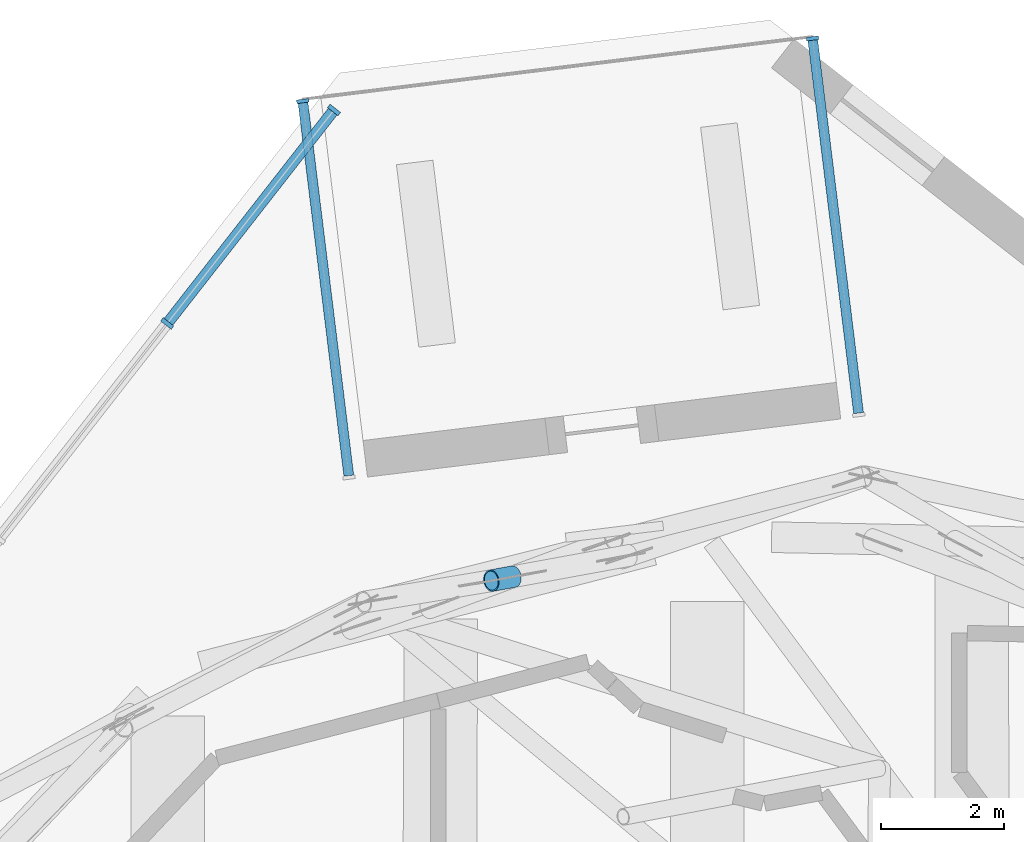
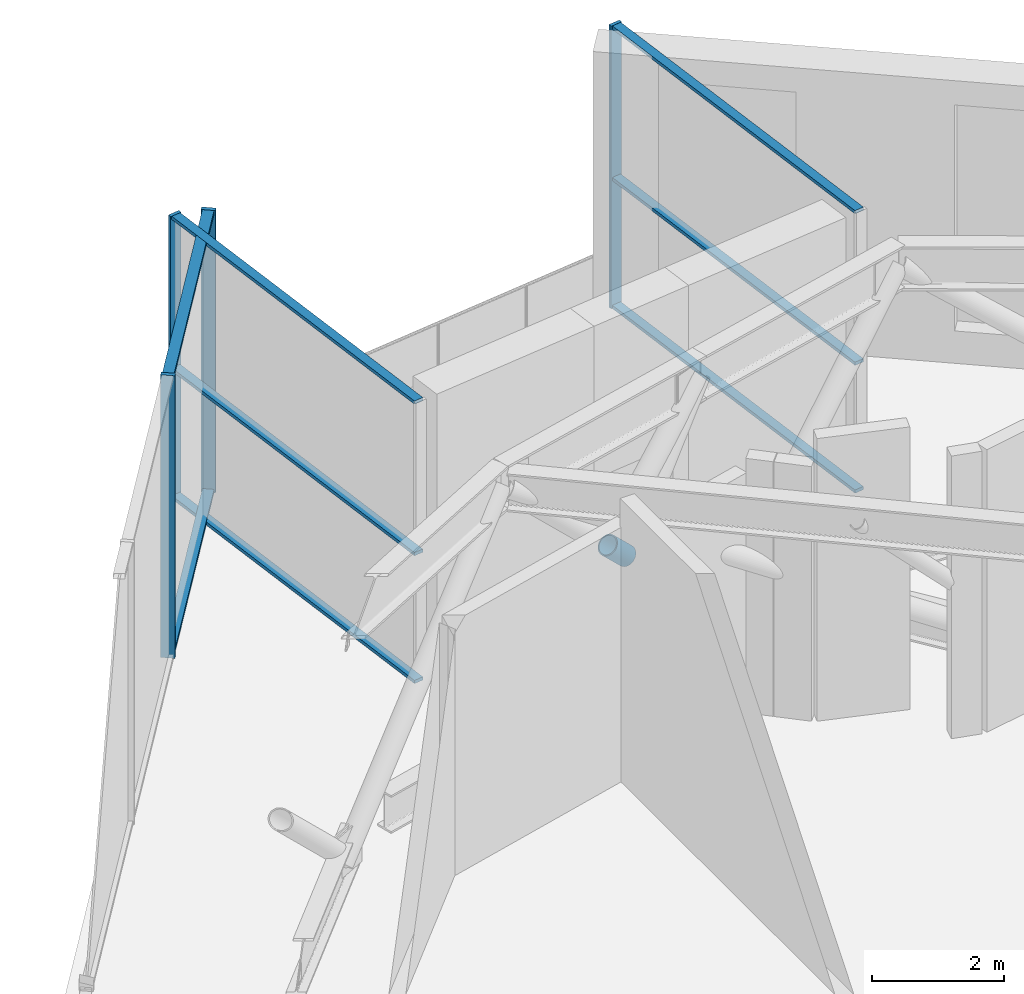
# One storey, part 10 of 23: 13 members, 3 elements without a shape of their own.
"""IFC4 building model written with IfcOpenShell, lengths in metres."""

import ifcopenshell
import ifcopenshell.guid

model = None  # the IFC model being written
_history = None  # IfcOwnerHistory: only IFC2X3 demands one
_inside = {}  # id of a spatial element -> (the spatial element, [elements in it])
_under = {}  # id of a project, library or spatial element -> (it, [spatial elements below it])
_declared = {}  # id of a project -> (the project, [libraries it declares])
_typed = {}  # id of a type object -> (the type object, [elements of that type])
_made_of = {}  # id of a material, layer set ... -> (it, [elements and type objects made of it])


def new_model(schema):
    """Start an empty IFC model of exactly this schema.

    Asked for "IFC4X3", IfcOpenShell would pick the latest addendum, in which some entities
    have other attributes; the version numbers below select the first issue.
    IFC2X3 requires an IfcOwnerHistory on every rooted entity: one is made here for all.
    """
    global model, _history
    if schema == "IFC4X3":
        model = ifcopenshell.file(schema_version=(4, 3, 0, 0))
    else:
        model = ifcopenshell.file(schema=schema)
    _inside.clear()
    _under.clear()
    _declared.clear()
    _typed.clear()
    _made_of.clear()
    _history = None
    if model.schema == "IFC2X3":
        org = make("IfcOrganization", Name="unknown")
        user = make(
            "IfcPersonAndOrganization",
            ThePerson=make("IfcPerson", FamilyName="unknown"),
            TheOrganization=org,
        )
        app = make(
            "IfcApplication",
            ApplicationDeveloper=org,
            Version="unknown",
            ApplicationFullName="unknown",
            ApplicationIdentifier="unknown",
        )
        _history = make(
            "IfcOwnerHistory",
            OwningUser=user,
            OwningApplication=app,
            ChangeAction="ADDED",
            CreationDate=0,
        )
    return model


def make(cls, **values):
    """One entity of the class cls with the attributes given. An attribute that is None is left unset."""
    return model.create_entity(
        cls, **{name: value for name, value in values.items() if value is not None}
    )


def rooted(cls, **values):
    """An entity with a GlobalId (a new one), such as an element, a storey or a relation."""
    return make(cls, GlobalId=ifcopenshell.guid.new(), OwnerHistory=_history, **values)


def si_unit(unit_type, name, prefix=None):
    """IfcSIUnit, for example si_unit("LENGTHUNIT", "METRE", prefix="MILLI")."""
    return make("IfcSIUnit", UnitType=unit_type, Prefix=prefix, Name=name)


def assignment(units):
    """IfcUnitAssignment: the units of a project."""
    return None if units is None else make("IfcUnitAssignment", Units=units)


def point(xyz):
    """IfcCartesianPoint."""
    return None if xyz is None else make("IfcCartesianPoint", Coordinates=xyz)


def direction(xyz):
    """IfcDirection."""
    return None if xyz is None else make("IfcDirection", DirectionRatios=xyz)


def frame(location, z_axis=None, x_axis=None):
    """IfcAxis2Placement3D, a coordinate frame: its origin and axes. An axis left out is left unset."""
    return make(
        "IfcAxis2Placement3D",
        Location=point(location),
        Axis=direction(z_axis),
        RefDirection=direction(x_axis),
    )


def frame_2d(location, x_axis=None):
    """IfcAxis2Placement2D, a coordinate frame in the plane: its origin and x axis."""
    return make(
        "IfcAxis2Placement2D", Location=point(location), RefDirection=direction(x_axis)
    )


def origin():
    """The frame at (0, 0, 0) with its axes left unset."""
    return frame((0.0, 0.0, 0.0))


def origin_2d():
    """The frame at (0, 0) in the plane with its x axis left unset."""
    return frame_2d((0.0, 0.0))


def place(relative_to, where):
    """IfcLocalPlacement: puts the frame where relative to a parent placement (None: the world)."""
    return make(
        "IfcLocalPlacement", PlacementRelTo=relative_to, RelativePlacement=where
    )


def context(
    kind, dimensions, precision=None, world=None, true_north=None, identifier=None
):
    """IfcGeometricRepresentationContext, for example the 3D "Model" context."""
    return make(
        "IfcGeometricRepresentationContext",
        ContextIdentifier=identifier,
        ContextType=kind,
        CoordinateSpaceDimension=dimensions,
        Precision=precision,
        WorldCoordinateSystem=world,
        TrueNorth=true_north,
    )


def subcontext(parent, identifier, kind, view, scale=None):
    """IfcGeometricRepresentationSubContext, for example "Body" below "Model"."""
    return make(
        "IfcGeometricRepresentationSubContext",
        ContextIdentifier=identifier,
        ContextType=kind,
        ParentContext=parent,
        TargetScale=scale,
        TargetView=view,
    )


def project(units=None, contexts=None):
    """IfcProject with its units and contexts."""
    return rooted(
        "IfcProject",
        Name="project",
        RepresentationContexts=contexts,
        UnitsInContext=assignment(units),
    )


def spatial(cls, under=None, at=None, **own):
    """A site, building, storey or space (cls), placed at a placement, below another one or the project."""
    s = rooted(cls, ObjectPlacement=at, **own)
    if under is not None:
        _under.setdefault(under.id(), (under, []))[1].append(s)
    return s


def profile(cls, at=None, kind="AREA", **sizes):
    """A parametric profile (cls). Its sizes go by their IFC names, for example OverallWidth=200.0."""
    return make(cls, ProfileType=kind, Position=at, **sizes)


def rectangle(**sizes):
    """IfcRectangleProfileDef."""
    return profile("IfcRectangleProfileDef", **sizes)


def hollow_circle(**sizes):
    """IfcCircleHollowProfileDef."""
    return profile("IfcCircleHollowProfileDef", **sizes)


def extrude(swept, where, along, depth):
    """IfcExtrudedAreaSolid: the profile swept, set in the frame where, extruded along a direction by depth."""
    return make(
        "IfcExtrudedAreaSolid",
        SweptArea=swept,
        Position=where,
        ExtrudedDirection=direction(along),
        Depth=depth,
    )


def shape(context_of_items, identifier, shape_type, items):
    """IfcShapeRepresentation: the items that make up one representation, for example the "Body"."""
    return make(
        "IfcShapeRepresentation",
        ContextOfItems=context_of_items,
        RepresentationIdentifier=identifier,
        RepresentationType=shape_type,
        Items=items,
    )


def material(Name=None, Category=None):
    """IfcMaterial."""
    return make("IfcMaterial", Name=Name, Category=Category)


def material_profile(
    of_material, cross_section, Name=None, Category=None, Priority=None
):
    """IfcMaterialProfile: a cross section and its material."""
    return make(
        "IfcMaterialProfile",
        Name=Name,
        Material=of_material,
        Profile=cross_section,
        Priority=Priority,
        Category=Category,
    )


def profile_set(profiles, Name=None, composite=None):
    """IfcMaterialProfileSet."""
    return make(
        "IfcMaterialProfileSet",
        Name=Name,
        MaterialProfiles=profiles,
        CompositeProfile=composite,
    )


def made_of(thing, what):
    """Note that an element or type object is made of a material, layer set ...; save() writes the relation."""
    if what is not None:
        _made_of.setdefault(what.id(), (what, []))[1].append(thing)
    return thing


def type_object(cls, material=None, **own):
    """A type object (cls), such as IfcWallType, which elements share."""
    return made_of(rooted(cls, **own), material)


def element(
    cls,
    number,
    at=None,
    inside=None,
    cuts=None,
    type_object=None,
    material=None,
    context=None,
    identifier="Body",
    shape_type=None,
    held_by="IfcProductDefinitionShape",
    body=None,
    shapes=None,
    **own,
):
    """One element of the class cls, such as IfcWall. Its Tag is "e" and its number.

    at: its placement. inside: the storey or other place that contains it. cuts: it is an
    opening in that element (IfcRelVoidsElement). A single representation is given by context,
    identifier, shape_type and body (its items); several are given by shapes. held_by: the class
    of the entity that holds the representations. save() writes the other relations.
    """
    e = rooted(cls, Tag="e%d" % number, ObjectPlacement=at, **own)
    if body is not None:
        shapes = [shape(context, identifier, shape_type, body)]
    if shapes is not None:
        e.Representation = make(held_by, Representations=shapes)
    if inside is not None:
        _inside.setdefault(inside.id(), (inside, []))[1].append(e)
    if cuts is not None:
        rooted(
            "IfcRelVoidsElement", RelatingBuildingElement=cuts, RelatedOpeningElement=e
        )
    if type_object is not None:
        _typed.setdefault(type_object.id(), (type_object, []))[1].append(e)
    return made_of(e, material)


def aggregate(whole, parts):
    """IfcRelAggregates: a whole, such as a stair, and the parts it consists of."""
    return rooted("IfcRelAggregates", RelatingObject=whole, RelatedObjects=parts)


def save(model, path):
    """Write the relations noted so far, then the file.

    IfcRelAggregates (storeys below a building ...), IfcRelContainedInSpatialStructure (elements
    in a storey), IfcRelDefinesByType, IfcRelAssociatesMaterial and IfcRelDeclares: one each for
    every whole, place, type object, material and project.
    """
    for whole, parts in _under.values():
        aggregate(whole, parts)
    for where, things in _inside.values():
        rooted(
            "IfcRelContainedInSpatialStructure",
            RelatedElements=things,
            RelatingStructure=where,
        )
    for kind, things in _typed.values():
        rooted("IfcRelDefinesByType", RelatedObjects=things, RelatingType=kind)
    for what, things in _made_of.values():
        rooted("IfcRelAssociatesMaterial", RelatedObjects=things, RelatingMaterial=what)
    for by, libraries in _declared.values():
        rooted("IfcRelDeclares", RelatingContext=by, RelatedDefinitions=libraries)
    model.write(path)


model = new_model("IFC4")

# Units and contexts
model_context = context("Model", 3, precision=1e-05, world=origin(), true_north=direction((0.0, 1.0)))
body_context = subcontext(model_context, "Body", "Model", "MODEL_VIEW")
ifc_project = project(units=[si_unit("LENGTHUNIT", "METRE"), si_unit("AREAUNIT", "SQUARE_METRE"), si_unit("VOLUMEUNIT", "CUBIC_METRE"), si_unit("PLANEANGLEUNIT", "RADIAN"), si_unit("MASSUNIT", "GRAM", prefix="KILO")], contexts=[model_context])

# Site, building, storey
site_placement = place(None, origin())
site = spatial("IfcSite", under=ifc_project, at=site_placement, CompositionType="ELEMENT")
building_placement = place(site_placement, origin())
building = spatial("IfcBuilding", under=site, at=building_placement, Name="Dilmun Exchange Tower", CompositionType="ELEMENT")
storey_placement = place(building_placement, frame((0.0, 0.0, 237.300048828125)))
storey = spatial("IfcBuildingStorey", under=building, at=storey_placement, Name="L56", CompositionType="ELEMENT", Elevation=237.300048828125)

# Curtain wall, member
ifc_material_1 = material(Name="Anodised aluminium and clear glass", Category="aluminium")
curtain_wall_type_1 = type_object("IfcCurtainWallType", Name="Garden corner glazing", PredefinedType="NOTDEFINED", material=ifc_material_1)
curtain_wall_1_placement = place(storey_placement, origin())
curtain_wall_1 = element("IfcCurtainWall", 1, at=curtain_wall_1_placement, inside=storey, type_object=curtain_wall_type_1, Name="Garden corner glazing run GC1.1", PredefinedType="NOTDEFINED")
ifc_material_2 = material(Name="Anodised aluminium", Category="aluminium")
ifc_material_profile_1 = material_profile(ifc_material_2, rectangle(XDim=0.199951171875, YDim=0.06005859375, at=origin_2d()), Name="AL 60x200")
ifc_profile_set_1 = profile_set([ifc_material_profile_1], Name="Anodised aluminium")
member_type_1 = type_object("IfcMemberType", Name="Garden corner glazing mullion 60 x 200", PredefinedType="MULLION", material=ifc_profile_set_1)
member_1_placement = place(storey_placement, frame((3.405029296875, 35.652587890625, 0.0), z_axis=(0.0, 0.0, 1.0), x_axis=(0.992547158556, 0.12186114246, 0.0)))
member_1 = element("IfcMember", 2, at=member_1_placement, type_object=member_type_1, Name="GC1.1 mullion 1", PredefinedType="MULLION", context=body_context, shape_type="SweptSolid", body=[
    extrude(rectangle(XDim=0.199951171875, YDim=0.06005859375, at=origin_2d()), origin(), (0.0, 0.0, 1.0), 5.239990234375),
])

curtain_wall_2_placement = place(storey_placement, origin())
curtain_wall_2 = element("IfcCurtainWall", 3, at=curtain_wall_2_placement, inside=storey, type_object=curtain_wall_type_1, Name="Garden corner glazing run GC3.1", PredefinedType="NOTDEFINED")
member_2_placement = place(storey_placement, frame((-4.91064453125, 34.63134765625, 0.0), z_axis=(0.0, 0.0, 1.0), x_axis=(-0.992546920814, -0.121863078832, 0.0)))
member_2 = element("IfcMember", 4, at=member_2_placement, type_object=member_type_1, Name="GC3.1 mullion 2", PredefinedType="MULLION", context=body_context, shape_type="SweptSolid", body=[
    extrude(rectangle(XDim=0.199951171875, YDim=0.06005859375, at=origin_2d()), origin(), (0.0, 0.0, 1.0), 5.239990234375),
])

# Member
ifc_material_profile_2 = material_profile(ifc_material_2, rectangle(XDim=0.159912109375, YDim=0.06005859375, at=origin_2d()), Name="AL 60x160")
ifc_profile_set_2 = profile_set([ifc_material_profile_2], Name="Anodised aluminium")
member_type_2 = type_object("IfcMemberType", Name="Garden corner glazing transom 60 x 160", PredefinedType="USERDEFINED", material=ifc_profile_set_2)
member_3_placement = place(storey_placement, frame((3.40869140625, 35.622802734375, 0.030029296875), z_axis=(0.121861685747, -0.992547091854, 0.0), x_axis=(0.992547091854, 0.121861685747, 0.0)))
member_3 = element("IfcMember", 5, at=member_3_placement, type_object=member_type_2, Name="GC1.1 transom 1.1", ObjectType="TRANSOM", PredefinedType="USERDEFINED", context=body_context, shape_type="SweptSolid", body=[
    extrude(rectangle(XDim=0.159912109375, YDim=0.06005859375, at=origin_2d()), origin(), (0.0, 0.0, 1.0), 6.12646484375),
])

member_4_placement = place(storey_placement, frame((3.40869140625, 35.622802734375, 2.39990234375), z_axis=(0.121861685747, -0.992547091854, 0.0), x_axis=(0.992547091854, 0.121861685747, 0.0)))
member_4 = element("IfcMember", 6, at=member_4_placement, type_object=member_type_2, Name="GC1.1 transom 1.2", ObjectType="TRANSOM", PredefinedType="USERDEFINED", context=body_context, shape_type="SweptSolid", body=[
    extrude(rectangle(XDim=0.159912109375, YDim=0.06005859375, at=origin_2d()), origin(), (0.0, 0.0, 1.0), 6.12646484375),
])

member_5_placement = place(storey_placement, frame((3.40869140625, 35.622802734375, 5.2099609375), z_axis=(0.121861685747, -0.992547091854, 0.0), x_axis=(0.992547091854, 0.121861685747, 0.0)))
member_5 = element("IfcMember", 7, at=member_5_placement, type_object=member_type_2, Name="GC1.1 transom 1.3", ObjectType="TRANSOM", PredefinedType="USERDEFINED", context=body_context, shape_type="SweptSolid", body=[
    extrude(rectangle(XDim=0.159912109375, YDim=0.06005859375, at=origin_2d()), origin(), (0.0, 0.0, 1.0), 6.12646484375),
])

aggregate(curtain_wall_1, [member_1, member_3, member_4, member_5])

member_6_placement = place(storey_placement, frame((-4.160400390625, 28.52099609375, 0.030029296875), z_axis=(-0.121866505946, 0.992546500033, 0.0), x_axis=(-0.992546500033, -0.121866505946, 0.0)))
member_6 = element("IfcMember", 8, at=member_6_placement, type_object=member_type_2, Name="GC3.1 transom 1.1", ObjectType="TRANSOM", PredefinedType="USERDEFINED", context=body_context, shape_type="SweptSolid", body=[
    extrude(rectangle(XDim=0.159912109375, YDim=0.06005859375, at=origin_2d()), origin(), (0.0, 0.0, 1.0), 6.126220703125),
])

member_7_placement = place(storey_placement, frame((-4.160400390625, 28.52099609375, 2.39990234375), z_axis=(-0.121866505946, 0.992546500033, 0.0), x_axis=(-0.992546500033, -0.121866505946, 0.0)))
member_7 = element("IfcMember", 9, at=member_7_placement, type_object=member_type_2, Name="GC3.1 transom 1.2", ObjectType="TRANSOM", PredefinedType="USERDEFINED", context=body_context, shape_type="SweptSolid", body=[
    extrude(rectangle(XDim=0.159912109375, YDim=0.06005859375, at=origin_2d()), origin(), (0.0, 0.0, 1.0), 6.126220703125),
])

member_8_placement = place(storey_placement, frame((-4.160400390625, 28.52099609375, 5.2099609375), z_axis=(-0.121866505946, 0.992546500033, 0.0), x_axis=(-0.992546500033, -0.121866505946, 0.0)))
member_8 = element("IfcMember", 10, at=member_8_placement, type_object=member_type_2, Name="GC3.1 transom 1.3", ObjectType="TRANSOM", PredefinedType="USERDEFINED", context=body_context, shape_type="SweptSolid", body=[
    extrude(rectangle(XDim=0.159912109375, YDim=0.06005859375, at=origin_2d()), origin(), (0.0, 0.0, 1.0), 6.126220703125),
])

aggregate(curtain_wall_2, [member_2, member_6, member_7, member_8])

# Curtain wall, members
curtain_wall_type_2 = type_object("IfcCurtainWallType", Name="Sky lobby glazing", PredefinedType="NOTDEFINED", material=ifc_material_1)
curtain_wall_3_placement = place(storey_placement, origin())
curtain_wall_3 = element("IfcCurtainWall", 11, at=curtain_wall_3_placement, inside=storey, type_object=curtain_wall_type_2, Name="Sky lobby glazing run SL4", PredefinedType="NOTDEFINED")
ifc_material_profile_3 = material_profile(ifc_material_2, rectangle(XDim=0.219970703125, YDim=0.070068359375, at=origin_2d()), Name="AL 70x220")
ifc_profile_set_3 = profile_set([ifc_material_profile_3], Name="Anodised aluminium")
member_type_3 = type_object("IfcMemberType", Name="Sky lobby glazing mullion 70 x 220", PredefinedType="MULLION", material=ifc_profile_set_3)
member_9_placement = place(storey_placement, frame((-4.40185546875, 34.485595703125, 0.0), z_axis=(0.0, 0.0, 1.0), x_axis=(0.78801066701, -0.615661586164, 0.0)))
member_9 = element("IfcMember", 12, at=member_9_placement, type_object=member_type_3, Name="SL4 mullion 1", PredefinedType="MULLION", context=body_context, shape_type="SweptSolid", body=[
    extrude(rectangle(XDim=0.219970703125, YDim=0.070068359375, at=origin_2d()), origin(), (0.0, 0.0, 1.0), 5.239990234375),
])
member_10_placement = place(storey_placement, frame((-7.122802734375, 31.0029296875, 0.0), z_axis=(0.0, 0.0, 1.0), x_axis=(0.78801066701, -0.615661586164, 0.0)))
member_10 = element("IfcMember", 13, at=member_10_placement, type_object=member_type_3, Name="SL4 mullion 2", PredefinedType="MULLION", context=body_context, shape_type="SweptSolid", body=[
    extrude(rectangle(XDim=0.219970703125, YDim=0.070068359375, at=origin_2d()), origin(), (0.0, 0.0, 1.0), 5.239990234375),
])
ifc_material_profile_4 = material_profile(ifc_material_2, rectangle(XDim=0.179931640625, YDim=0.070068359375, at=origin_2d()), Name="AL 70x180")
ifc_profile_set_4 = profile_set([ifc_material_profile_4], Name="Anodised aluminium")
member_type_4 = type_object("IfcMemberType", Name="Sky lobby glazing transom 70 x 180", PredefinedType="USERDEFINED", material=ifc_profile_set_4)
member_11_placement = place(storey_placement, frame((-4.42333984375, 34.4580078125, 0.034912109375), z_axis=(-0.615645131234, -0.788023522738, 0.0), x_axis=(0.788023522738, -0.615645131234, 0.0)))
member_11 = element("IfcMember", 14, at=member_11_placement, type_object=member_type_4, Name="SL4 transom 1.1", ObjectType="TRANSOM", PredefinedType="USERDEFINED", context=body_context, shape_type="SweptSolid", body=[
    extrude(rectangle(XDim=0.179931640625, YDim=0.070068359375, at=origin_2d()), origin(), (0.0, 0.0, 1.0), 4.349365234375),
])
member_12_placement = place(storey_placement, frame((-4.42333984375, 34.4580078125, 5.204833984375), z_axis=(-0.615645131234, -0.788023522738, 0.0), x_axis=(0.788023522738, -0.615645131234, 0.0)))
member_12 = element("IfcMember", 15, at=member_12_placement, type_object=member_type_4, Name="SL4 transom 1.2", ObjectType="TRANSOM", PredefinedType="USERDEFINED", context=body_context, shape_type="SweptSolid", body=[
    extrude(rectangle(XDim=0.179931640625, YDim=0.070068359375, at=origin_2d()), origin(), (0.0, 0.0, 1.0), 4.349365234375),
])
aggregate(curtain_wall_3, [member_9, member_10, member_11, member_12])

# Member
ifc_material_3 = material(Name="Steel S355", Category="steel")
ifc_material_profile_5 = material_profile(ifc_material_3, hollow_circle(Radius=0.177734375, WallThickness=0.02001953125, at=origin_2d()), Name="CHS 355.6x20")
ifc_profile_set_5 = profile_set([ifc_material_profile_5], Name="Steel S355")
member_type_5 = type_object("IfcMemberType", Name="truss diagonal CHS 355.6x20", PredefinedType="BRACE", material=ifc_profile_set_5)
member_13_placement = place(storey_placement, frame((-1.83544921875, 26.80712890625, 2.7607421875), z_axis=(0.7004952536, 0.12891387617, -0.701917097822), x_axis=(-0.180993064461, 0.98348437233, 0.0)))
element("IfcMember", 16, at=member_13_placement, inside=storey, type_object=member_type_5, Name="Truss diagonal 2B", PredefinedType="BRACE", context=body_context, shape_type="SweptSolid", body=[
    extrude(hollow_circle(Radius=0.177734375, WallThickness=0.02001953125, at=origin_2d()), origin(), (0.0, 0.0, 1.0), 0.51513671875),
])

save(model, "model.ifc")
